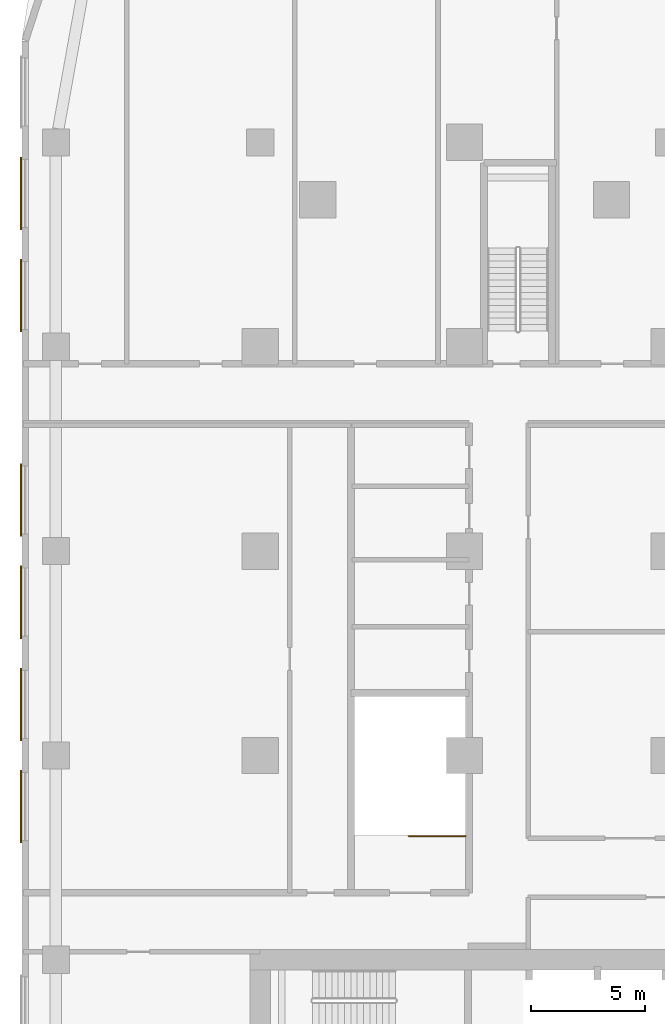
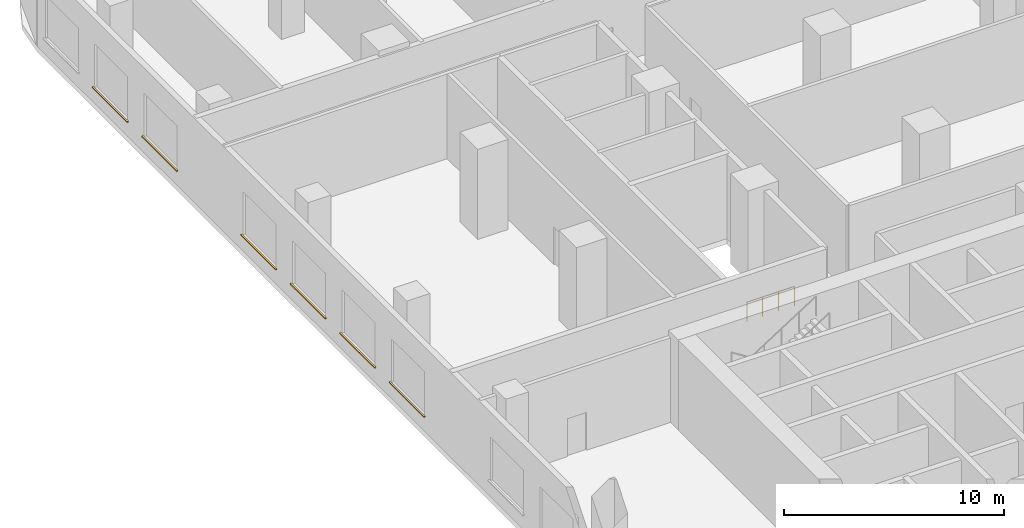
# One storey, part 25 of 33: 6 coverings, 1 railing.
"""IFC4 building model written with IfcOpenShell, lengths in metres."""

import ifcopenshell
import ifcopenshell.guid

model = None  # the IFC model being written
_history = None  # IfcOwnerHistory: only IFC2X3 demands one
_inside = {}  # id of a spatial element -> (the spatial element, [elements in it])
_under = {}  # id of a project, library or spatial element -> (it, [spatial elements below it])
_declared = {}  # id of a project -> (the project, [libraries it declares])
_typed = {}  # id of a type object -> (the type object, [elements of that type])
_made_of = {}  # id of a material, layer set ... -> (it, [elements and type objects made of it])


def new_model(schema):
    """Start an empty IFC model of exactly this schema.

    Asked for "IFC4X3", IfcOpenShell would pick the latest addendum, in which some entities
    have other attributes; the version numbers below select the first issue.
    IFC2X3 requires an IfcOwnerHistory on every rooted entity: one is made here for all.
    """
    global model, _history
    if schema == "IFC4X3":
        model = ifcopenshell.file(schema_version=(4, 3, 0, 0))
    else:
        model = ifcopenshell.file(schema=schema)
    _inside.clear()
    _under.clear()
    _declared.clear()
    _typed.clear()
    _made_of.clear()
    _history = None
    if model.schema == "IFC2X3":
        org = make("IfcOrganization", Name="unknown")
        user = make(
            "IfcPersonAndOrganization",
            ThePerson=make("IfcPerson", FamilyName="unknown"),
            TheOrganization=org,
        )
        app = make(
            "IfcApplication",
            ApplicationDeveloper=org,
            Version="unknown",
            ApplicationFullName="unknown",
            ApplicationIdentifier="unknown",
        )
        _history = make(
            "IfcOwnerHistory",
            OwningUser=user,
            OwningApplication=app,
            ChangeAction="ADDED",
            CreationDate=0,
        )
    return model


def make(cls, **values):
    """One entity of the class cls with the attributes given. An attribute that is None is left unset."""
    return model.create_entity(
        cls, **{name: value for name, value in values.items() if value is not None}
    )


def rooted(cls, **values):
    """An entity with a GlobalId (a new one), such as an element, a storey or a relation."""
    return make(cls, GlobalId=ifcopenshell.guid.new(), OwnerHistory=_history, **values)


def si_unit(unit_type, name, prefix=None):
    """IfcSIUnit, for example si_unit("LENGTHUNIT", "METRE", prefix="MILLI")."""
    return make("IfcSIUnit", UnitType=unit_type, Prefix=prefix, Name=name)


def assignment(units):
    """IfcUnitAssignment: the units of a project."""
    return None if units is None else make("IfcUnitAssignment", Units=units)


def point(xyz):
    """IfcCartesianPoint."""
    return None if xyz is None else make("IfcCartesianPoint", Coordinates=xyz)


def direction(xyz):
    """IfcDirection."""
    return None if xyz is None else make("IfcDirection", DirectionRatios=xyz)


def frame(location, z_axis=None, x_axis=None):
    """IfcAxis2Placement3D, a coordinate frame: its origin and axes. An axis left out is left unset."""
    return make(
        "IfcAxis2Placement3D",
        Location=point(location),
        Axis=direction(z_axis),
        RefDirection=direction(x_axis),
    )


def frame_2d(location, x_axis=None):
    """IfcAxis2Placement2D, a coordinate frame in the plane: its origin and x axis."""
    return make(
        "IfcAxis2Placement2D", Location=point(location), RefDirection=direction(x_axis)
    )


def origin():
    """The frame at (0, 0, 0) with its axes left unset."""
    return frame((0.0, 0.0, 0.0))


def origin_2d():
    """The frame at (0, 0) in the plane with its x axis left unset."""
    return frame_2d((0.0, 0.0))


def place(relative_to, where):
    """IfcLocalPlacement: puts the frame where relative to a parent placement (None: the world)."""
    return make(
        "IfcLocalPlacement", PlacementRelTo=relative_to, RelativePlacement=where
    )


def context(
    kind, dimensions, precision=None, world=None, true_north=None, identifier=None
):
    """IfcGeometricRepresentationContext, for example the 3D "Model" context."""
    return make(
        "IfcGeometricRepresentationContext",
        ContextIdentifier=identifier,
        ContextType=kind,
        CoordinateSpaceDimension=dimensions,
        Precision=precision,
        WorldCoordinateSystem=world,
        TrueNorth=true_north,
    )


def subcontext(parent, identifier, kind, view, scale=None):
    """IfcGeometricRepresentationSubContext, for example "Body" below "Model"."""
    return make(
        "IfcGeometricRepresentationSubContext",
        ContextIdentifier=identifier,
        ContextType=kind,
        ParentContext=parent,
        TargetScale=scale,
        TargetView=view,
    )


def project(units=None, contexts=None):
    """IfcProject with its units and contexts."""
    return rooted(
        "IfcProject",
        Name="project",
        RepresentationContexts=contexts,
        UnitsInContext=assignment(units),
    )


def spatial(cls, under=None, at=None, **own):
    """A site, building, storey or space (cls), placed at a placement, below another one or the project."""
    s = rooted(cls, ObjectPlacement=at, **own)
    if under is not None:
        _under.setdefault(under.id(), (under, []))[1].append(s)
    return s


def profile(cls, at=None, kind="AREA", **sizes):
    """A parametric profile (cls). Its sizes go by their IFC names, for example OverallWidth=200.0."""
    return make(cls, ProfileType=kind, Position=at, **sizes)


def rectangle(**sizes):
    """IfcRectangleProfileDef."""
    return profile("IfcRectangleProfileDef", **sizes)


def circle(**sizes):
    """IfcCircleProfileDef."""
    return profile("IfcCircleProfileDef", **sizes)


def extrude(swept, where, along, depth):
    """IfcExtrudedAreaSolid: the profile swept, set in the frame where, extruded along a direction by depth."""
    return make(
        "IfcExtrudedAreaSolid",
        SweptArea=swept,
        Position=where,
        ExtrudedDirection=direction(along),
        Depth=depth,
    )


def shape(context_of_items, identifier, shape_type, items):
    """IfcShapeRepresentation: the items that make up one representation, for example the "Body"."""
    return make(
        "IfcShapeRepresentation",
        ContextOfItems=context_of_items,
        RepresentationIdentifier=identifier,
        RepresentationType=shape_type,
        Items=items,
    )


def material(Name=None, Category=None):
    """IfcMaterial."""
    return make("IfcMaterial", Name=Name, Category=Category)


def layer(
    of_material, thickness, ventilated=None, Name=None, Category=None, Priority=None
):
    """IfcMaterialLayer: one layer of a wall or slab, of a material (None: an air gap)."""
    return make(
        "IfcMaterialLayer",
        Material=of_material,
        LayerThickness=thickness,
        IsVentilated=ventilated,
        Name=Name,
        Category=Category,
        Priority=Priority,
    )


def layer_set(layers, Name=None):
    """IfcMaterialLayerSet."""
    return make("IfcMaterialLayerSet", MaterialLayers=layers, LayerSetName=Name)


def made_of(thing, what):
    """Note that an element or type object is made of a material, layer set ...; save() writes the relation."""
    if what is not None:
        _made_of.setdefault(what.id(), (what, []))[1].append(thing)
    return thing


def type_object(cls, material=None, **own):
    """A type object (cls), such as IfcWallType, which elements share."""
    return made_of(rooted(cls, **own), material)


def element(
    cls,
    number,
    at=None,
    inside=None,
    cuts=None,
    type_object=None,
    material=None,
    context=None,
    identifier="Body",
    shape_type=None,
    held_by="IfcProductDefinitionShape",
    body=None,
    shapes=None,
    **own,
):
    """One element of the class cls, such as IfcWall. Its Tag is "e" and its number.

    at: its placement. inside: the storey or other place that contains it. cuts: it is an
    opening in that element (IfcRelVoidsElement). A single representation is given by context,
    identifier, shape_type and body (its items); several are given by shapes. held_by: the class
    of the entity that holds the representations. save() writes the other relations.
    """
    e = rooted(cls, Tag="e%d" % number, ObjectPlacement=at, **own)
    if body is not None:
        shapes = [shape(context, identifier, shape_type, body)]
    if shapes is not None:
        e.Representation = make(held_by, Representations=shapes)
    if inside is not None:
        _inside.setdefault(inside.id(), (inside, []))[1].append(e)
    if cuts is not None:
        rooted(
            "IfcRelVoidsElement", RelatingBuildingElement=cuts, RelatedOpeningElement=e
        )
    if type_object is not None:
        _typed.setdefault(type_object.id(), (type_object, []))[1].append(e)
    return made_of(e, material)


def aggregate(whole, parts):
    """IfcRelAggregates: a whole, such as a stair, and the parts it consists of."""
    return rooted("IfcRelAggregates", RelatingObject=whole, RelatedObjects=parts)


def save(model, path):
    """Write the relations noted so far, then the file.

    IfcRelAggregates (storeys below a building ...), IfcRelContainedInSpatialStructure (elements
    in a storey), IfcRelDefinesByType, IfcRelAssociatesMaterial and IfcRelDeclares: one each for
    every whole, place, type object, material and project.
    """
    for whole, parts in _under.values():
        aggregate(whole, parts)
    for where, things in _inside.values():
        rooted(
            "IfcRelContainedInSpatialStructure",
            RelatedElements=things,
            RelatingStructure=where,
        )
    for kind, things in _typed.values():
        rooted("IfcRelDefinesByType", RelatedObjects=things, RelatingType=kind)
    for what, things in _made_of.values():
        rooted("IfcRelAssociatesMaterial", RelatedObjects=things, RelatingMaterial=what)
    for by, libraries in _declared.values():
        rooted("IfcRelDeclares", RelatingContext=by, RelatedDefinitions=libraries)
    model.write(path)


model = new_model("IFC4")

# Units and contexts
model_context = context("Model", 3, precision=1e-05, world=origin(), true_north=direction((0.0, 1.0)))
body_context = subcontext(model_context, "Body", "Model", "MODEL_VIEW")
ifc_project = project(units=[si_unit("LENGTHUNIT", "METRE"), si_unit("AREAUNIT", "SQUARE_METRE"), si_unit("VOLUMEUNIT", "CUBIC_METRE"), si_unit("PLANEANGLEUNIT", "RADIAN"), si_unit("MASSUNIT", "GRAM", prefix="KILO")], contexts=[model_context])

# Site, building, storey
site_placement = place(None, origin())
site = spatial("IfcSite", under=ifc_project, at=site_placement, CompositionType="ELEMENT")
building_placement = place(site_placement, origin())
building = spatial("IfcBuilding", under=site, at=building_placement, Name="Ogive Portal Towers", CompositionType="ELEMENT")
storey_placement = place(building_placement, frame((0.0, 0.0, 28.5)))
storey = spatial("IfcBuildingStorey", under=building, at=storey_placement, Name="L05", CompositionType="ELEMENT", Elevation=28.5)

# Railing
ifc_material_1 = material(Name="Stainless steel balustrade", Category="steel")
railing_type = type_object("IfcRailingType", Name="INT-GUARD", PredefinedType="GUARDRAIL", material=ifc_material_1)
railing_placement = place(storey_placement, frame((40.550048828125, 44.949951171875, 0.0)))
element("IfcRailing", 1, at=railing_placement, inside=storey, type_object=railing_type, Name="L05 ST-P2 top well guard 1", PredefinedType="GUARDRAIL", context=body_context, shape_type="SweptSolid", body=[
    extrude(circle(Radius=0.02392578125, at=origin_2d()), frame((0.0, 0.0, 1.076171875), z_axis=(-1.0, 0.0, 0.0), x_axis=(0.0, -1.0, 0.0)), (0.0, 0.0, 1.0), 2.5),
    extrude(circle(Radius=0.02099609375, at=origin_2d()), origin(), (0.0, 0.0, 1.0), 1.052001953125),
    extrude(circle(Radius=0.02099609375, at=origin_2d()), frame((-0.833251953125, 0.0, 0.0)), (0.0, 0.0, 1.0), 1.052001953125),
    extrude(circle(Radius=0.02099609375, at=origin_2d()), frame((-1.666748046875, 0.0, 0.0)), (0.0, 0.0, 1.0), 1.052001953125),
    extrude(circle(Radius=0.02099609375, at=origin_2d()), frame((-2.5, 0.0, 0.0)), (0.0, 0.0, 1.0), 1.052001953125),
])

# Coverings
ifc_material_2 = material(Name="Limestone cladding on lightweight block wall", Category="masonry")
ifc_layer = layer(ifc_material_2, 0.080078125)
ifc_layer_set = layer_set([ifc_layer], Name="STONE SILL 80")
covering_type = type_object("IfcCoveringType", Name="STONE SILL 80", PredefinedType="CLADDING", material=ifc_layer_set)
for number, where, z_axis, x_axis, name in (
    (2, (20.9599609375, 73.25, 0.840087890625), (0.0, 0.0, 1.0), (0.0, -1.0, 0.0), "Stone sill"),
    (3, (20.9599609375, 68.75, 0.840087890625), (0.0, 0.0, 1.0), (0.0, -1.0, 0.0), "Stone sill"),
    (4, (20.9599609375, 59.75, 0.840087890625), (0.0, 0.0, 1.0), (0.0, -1.0, 0.0), "Stone sill"),
    (5, (20.9599609375, 55.25, 0.840087890625), (0.0, 0.0, 1.0), (0.0, -1.0, 0.0), "Stone sill"),
    (6, (20.9599609375, 50.75, 0.840087890625), (0.0, 0.0, 1.0), (0.0, -1.0, 0.0), "Stone sill"),
    (7, (20.9599609375, 46.25, 0.840087890625), (0.0, 0.0, 1.0), (0.0, -1.0, 0.0), "Stone sill"),
):
    element("IfcCovering", number, at=place(storey_placement, frame(where, z_axis=z_axis, x_axis=x_axis)), inside=storey, type_object=covering_type, Name=name, PredefinedType="CLADDING", context=body_context, shape_type="SweptSolid", body=[
        extrude(rectangle(XDim=3.199951171875, YDim=0.080078125, at=origin_2d()), origin(), (0.0, 0.0, 1.0), 0.06005859375),
    ])

save(model, "model.ifc")
